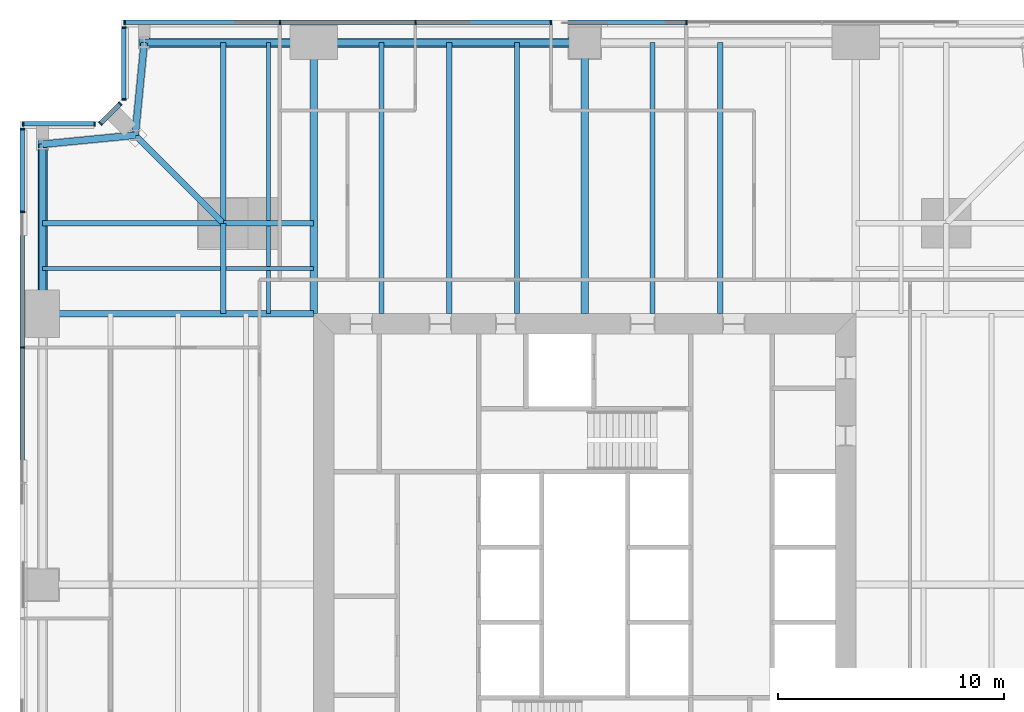
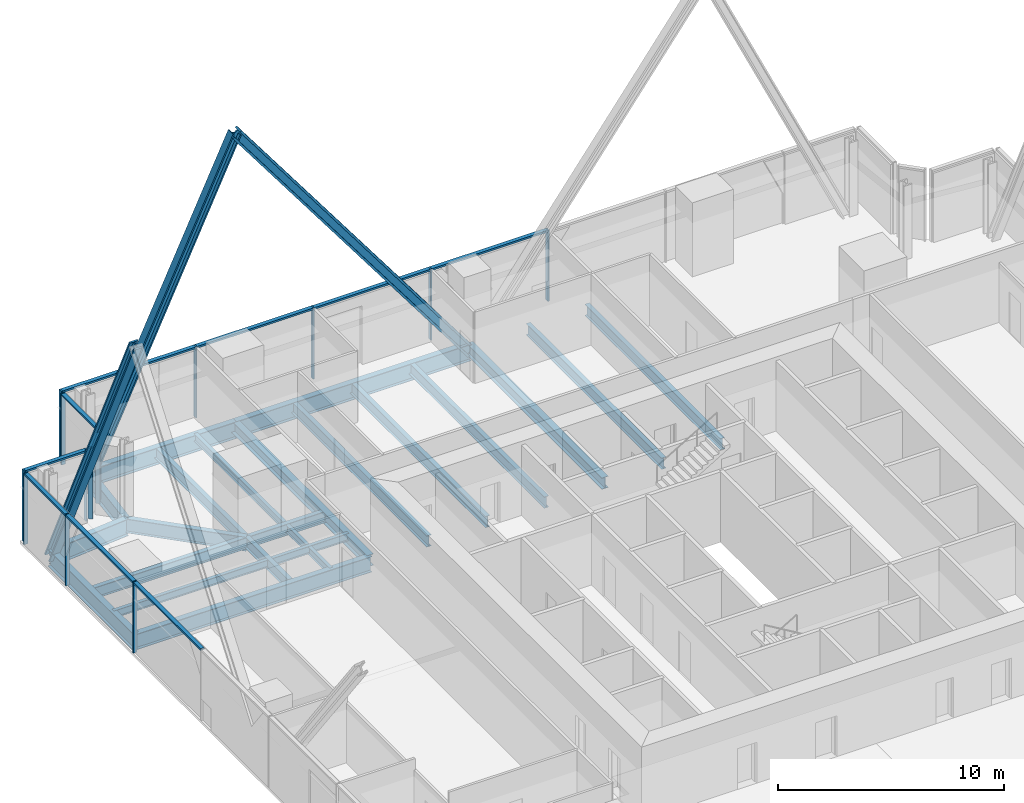
# One storey, part 6 of 13: 27 members, 23 beams, 5 elements without a shape of their own.
"""IFC4 building model written with IfcOpenShell, lengths in metres."""

from ifc_helpers import new_model, si_unit, direction, frame, origin, origin_2d, place, context, subcontext, project, spatial, rectangle, i_section, extrude, material, material_profile, profile_set, type_object, element, aggregate, save


model = new_model("IFC4")

# Units and contexts
model_context = context("Model", 3, precision=1e-05, world=origin(), true_north=direction((0.0, 1.0)))
body_context = subcontext(model_context, "Body", "Model", "MODEL_VIEW")
ifc_project = project(units=[si_unit("LENGTHUNIT", "METRE"), si_unit("AREAUNIT", "SQUARE_METRE"), si_unit("VOLUMEUNIT", "CUBIC_METRE"), si_unit("PLANEANGLEUNIT", "RADIAN"), si_unit("MASSUNIT", "GRAM", prefix="KILO")], contexts=[model_context])

# Site, building, storey
site_placement = place(None, origin())
site = spatial("IfcSite", under=ifc_project, at=site_placement, CompositionType="ELEMENT")
building_placement = place(site_placement, origin())
building = spatial("IfcBuilding", under=site, at=building_placement, Name="Fenwick Lantern Interchange", CompositionType="ELEMENT")
storey_placement = place(building_placement, frame((0.0, 0.0, 114.39990234375)))
storey = spatial("IfcBuildingStorey", under=building, at=storey_placement, Name="L26", CompositionType="ELEMENT", Elevation=114.39990234375)

# Beams
ifc_material_1 = material(Name="Steel ASTM A992 Grade 50", Category="steel")
ifc_material_profile_1 = material_profile(ifc_material_1, i_section(OverallWidth=0.3046875, OverallDepth=0.911865234375, WebThickness=0.015869140625, FlangeThickness=0.02392578125, at=origin_2d()), Name="W36X150")
ifc_profile_set_1 = profile_set([ifc_material_profile_1], Name="Steel ASTM A992 Grade 50")
beam_type_1 = type_object("IfcBeamType", Name="EDGE BEAM W36X150", PredefinedType="SPANDREL", material=ifc_profile_set_1)
beam_1_placement = place(storey_placement, frame((25.0, 49.0, -0.605712890625), z_axis=(-1.0, 0.0, 0.0), x_axis=(0.0, -1.0, 0.0)))
element("IfcBeam", 1, at=beam_1_placement, inside=storey, type_object=beam_type_1, Name="L26/FR/N/EB3", PredefinedType="SPANDREL", context=body_context, shape_type="SweptSolid", body=[
    extrude(i_section(OverallWidth=0.3046875, OverallDepth=0.911865234375, WebThickness=0.015869140625, FlangeThickness=0.02392578125, at=origin_2d()), origin(), (0.0, 0.0, 1.0), 12.0),
])
beam_2_placement = place(storey_placement, frame((13.0, 49.0, -0.605712890625), z_axis=(-1.0, 0.0, 0.0), x_axis=(0.0, -1.0, 0.0)))
element("IfcBeam", 2, at=beam_2_placement, inside=storey, type_object=beam_type_1, Name="L26/FR/N/EB4", PredefinedType="SPANDREL", context=body_context, shape_type="SweptSolid", body=[
    extrude(i_section(OverallWidth=0.3046875, OverallDepth=0.911865234375, WebThickness=0.015869140625, FlangeThickness=0.02392578125, at=origin_2d()), origin(), (0.0, 0.0, 1.0), 7.5),
])
for number, where, z_axis, x_axis, name in (
    (3, (5.5, 49.0, -0.605712890625), (-0.097074191287, -0.995277148028, 0.0), (0.995277148028, -0.097074191287, 0.0), "L26/FR/N/EBR1"),
    (4, (5.10009765625, 44.89990234375, -0.605712890625), (-0.995277148028, -0.097074191287, 0.0), (0.097074191287, -0.995277148028, 0.0), "L26/FR/N/EBR2"),
):
    element("IfcBeam", number, at=place(storey_placement, frame(where, z_axis=z_axis, x_axis=x_axis)), inside=storey, type_object=beam_type_1, Name=name, PredefinedType="SPANDREL", context=body_context, shape_type="SweptSolid", body=[
        extrude(i_section(OverallWidth=0.3046875, OverallDepth=0.911865234375, WebThickness=0.015869140625, FlangeThickness=0.02392578125, at=origin_2d()), origin(), (0.0, 0.0, 1.0), 4.11962890625),
    ])
beam_3_placement = place(storey_placement, frame((1.0, 44.5, -0.605712890625), z_axis=(0.0, -1.0, 0.0), x_axis=(1.0, 0.0, 0.0)))
element("IfcBeam", 5, at=beam_3_placement, inside=storey, type_object=beam_type_1, Name="L26/FR/W/EB1", PredefinedType="SPANDREL", context=body_context, shape_type="SweptSolid", body=[
    extrude(i_section(OverallWidth=0.3046875, OverallDepth=0.911865234375, WebThickness=0.015869140625, FlangeThickness=0.02392578125, at=origin_2d()), origin(), (0.0, 0.0, 1.0), 7.5),
])

# Members
ifc_material_profile_2 = material_profile(ifc_material_1, i_section(OverallWidth=0.424072265625, OverallDepth=0.47509765625, WebThickness=0.0478515625, FlangeThickness=0.0771484375, at=origin_2d()), Name="W14X426")
ifc_profile_set_2 = profile_set([ifc_material_profile_2], Name="Steel ASTM A992 Grade 50")
member_type_1 = type_object("IfcMemberType", Name="FACADE BRACE W14X426", PredefinedType="BRACE", material=ifc_profile_set_2)
for number, where, z_axis, x_axis, name in (
    (6, (5.5, 49.0, -0.605712890625), (0.424433876231, 0.0, 0.905458935959), (0.0, 1.0, 0.0), "L26/FB/N/BE"),
    (7, (1.0, 44.5, -0.605712890625), (0.0, -0.424433876231, 0.905458935959), (1.0, 0.0, 0.0), "L26/FB/W/AE"),
):
    element("IfcMember", number, at=place(storey_placement, frame(where, z_axis=z_axis, x_axis=x_axis)), inside=storey, type_object=member_type_1, Name=name, PredefinedType="BRACE", context=body_context, shape_type="SweptSolid", body=[
        extrude(i_section(OverallWidth=0.424072265625, OverallDepth=0.47509765625, WebThickness=0.0478515625, FlangeThickness=0.0771484375, at=origin_2d()), origin(), (0.0, 0.0, 1.0), 17.670654296875),
    ])
ifc_material_profile_3 = material_profile(ifc_material_1, i_section(OverallWidth=0.44189453125, OverallDepth=0.53076171875, WebThickness=0.06591796875, FlangeThickness=0.105712890625, at=origin_2d()), Name="W14X605")
ifc_profile_set_3 = profile_set([ifc_material_profile_3], Name="Steel ASTM A992 Grade 50")
member_type_2 = type_object("IfcMemberType", Name="FACADE BRACE W14X605", PredefinedType="BRACE", material=ifc_profile_set_3)
member_1_placement = place(storey_placement, frame((25.0, 49.0, -0.605712890625), z_axis=(-0.6, 0.0, 0.8), x_axis=(0.0, -1.0, 0.0)))
element("IfcMember", 8, at=member_1_placement, inside=storey, type_object=member_type_2, Name="L26/FB/N/B", PredefinedType="BRACE", context=body_context, shape_type="SweptSolid", body=[
    extrude(i_section(OverallWidth=0.44189453125, OverallDepth=0.53076171875, WebThickness=0.06591796875, FlangeThickness=0.105712890625, at=origin_2d()), origin(), (0.0, 0.0, 1.0), 20.0),
])

# Beams
ifc_material_profile_4 = material_profile(ifc_material_1, i_section(OverallWidth=0.22900390625, OverallDepth=0.612060546875, WebThickness=0.011962890625, FlangeThickness=0.01953125, at=origin_2d()), Name="W24X84")
ifc_profile_set_4 = profile_set([ifc_material_profile_4], Name="Steel ASTM A992 Grade 50")
beam_type_2 = type_object("IfcBeamType", Name="FLOOR BEAM W24X84", PredefinedType="BEAM", material=ifc_profile_set_4)
for number, where, z_axis, x_axis, name in (
    (9, (31.0, 49.0, -0.4560546875), (0.0, -1.0, 0.0), (1.0, 0.0, 0.0), "L26/FR/N/R03"),
    (10, (28.0, 49.0, -0.4560546875), (0.0, -1.0, 0.0), (1.0, 0.0, 0.0), "L26/FR/N/R04"),
    (11, (22.0, 49.0, -0.4560546875), (0.0, -1.0, 0.0), (1.0, 0.0, 0.0), "L26/FR/N/R06"),
    (12, (19.0, 49.0, -0.4560546875), (0.0, -1.0, 0.0), (1.0, 0.0, 0.0), "L26/FR/N/R07"),
    (13, (16.0, 49.0, -0.4560546875), (0.0, -1.0, 0.0), (1.0, 0.0, 0.0), "L26/FR/N/R08"),
):
    element("IfcBeam", number, at=place(storey_placement, frame(where, z_axis=z_axis, x_axis=x_axis)), inside=storey, type_object=beam_type_2, Name=name, PredefinedType="BEAM", context=body_context, shape_type="SweptSolid", body=[
        extrude(i_section(OverallWidth=0.22900390625, OverallDepth=0.612060546875, WebThickness=0.011962890625, FlangeThickness=0.01953125, at=origin_2d()), origin(), (0.0, 0.0, 1.0), 12.0),
    ])
ifc_material_profile_5 = material_profile(ifc_material_1, i_section(OverallWidth=0.177734375, OverallDepth=0.406494140625, WebThickness=0.0078125, FlangeThickness=0.012939453125, at=origin_2d()), Name="W16X40")
ifc_profile_set_5 = profile_set([ifc_material_profile_5], Name="Steel ASTM A992 Grade 50")
beam_type_3 = type_object("IfcBeamType", Name="INFILL BEAM W16X40", PredefinedType="JOIST", material=ifc_profile_set_5)
beam_4_placement = place(storey_placement, frame((1.0, 39.0, -0.35302734375), z_axis=(1.0, 0.0, 0.0), x_axis=(0.0, 1.0, 0.0)))
element("IfcBeam", 14, at=beam_4_placement, inside=storey, type_object=beam_type_3, Name="L26/FR/W/J1", PredefinedType="JOIST", context=body_context, shape_type="SweptSolid", body=[
    extrude(i_section(OverallWidth=0.177734375, OverallDepth=0.406494140625, WebThickness=0.0078125, FlangeThickness=0.012939453125, at=origin_2d()), origin(), (0.0, 0.0, 1.0), 7.885498046875),
])
beam_5_placement = place(storey_placement, frame((9.114501953125, 39.0, -0.35302734375), z_axis=(1.0, 0.0, 0.0), x_axis=(0.0, 1.0, 0.0)))
element("IfcBeam", 15, at=beam_5_placement, inside=storey, type_object=beam_type_3, Name="L26/FR/W/J2", PredefinedType="JOIST", context=body_context, shape_type="SweptSolid", body=[
    extrude(i_section(OverallWidth=0.177734375, OverallDepth=0.406494140625, WebThickness=0.0078125, FlangeThickness=0.012939453125, at=origin_2d()), origin(), (0.0, 0.0, 1.0), 3.885498046875),
])
beam_6_placement = place(storey_placement, frame((11.0, 49.0, -0.35302734375), z_axis=(0.0, -1.0, 0.0), x_axis=(1.0, 0.0, 0.0)))
element("IfcBeam", 16, at=beam_6_placement, inside=storey, type_object=beam_type_3, Name="L26/FR/W/J3", PredefinedType="JOIST", context=body_context, shape_type="SweptSolid", body=[
    extrude(i_section(OverallWidth=0.177734375, OverallDepth=0.406494140625, WebThickness=0.0078125, FlangeThickness=0.012939453125, at=origin_2d()), origin(), (0.0, 0.0, 1.0), 7.885498046875),
])
beam_7_placement = place(storey_placement, frame((11.0, 40.885498046875, -0.35302734375), z_axis=(0.0, -1.0, 0.0), x_axis=(1.0, 0.0, 0.0)))
element("IfcBeam", 17, at=beam_7_placement, inside=storey, type_object=beam_type_3, Name="L26/FR/W/J4", PredefinedType="JOIST", context=body_context, shape_type="SweptSolid", body=[
    extrude(i_section(OverallWidth=0.177734375, OverallDepth=0.406494140625, WebThickness=0.0078125, FlangeThickness=0.012939453125, at=origin_2d()), origin(), (0.0, 0.0, 1.0), 1.796630859375),
])
beam_8_placement = place(storey_placement, frame((11.0, 38.9111328125, -0.35302734375), z_axis=(0.0, -1.0, 0.0), x_axis=(1.0, 0.0, 0.0)))
element("IfcBeam", 18, at=beam_8_placement, inside=storey, type_object=beam_type_3, Name="L26/FR/W/J5", PredefinedType="JOIST", context=body_context, shape_type="SweptSolid", body=[
    extrude(i_section(OverallWidth=0.177734375, OverallDepth=0.406494140625, WebThickness=0.0078125, FlangeThickness=0.012939453125, at=origin_2d()), origin(), (0.0, 0.0, 1.0), 1.9111328125),
])
ifc_material_profile_6 = material_profile(ifc_material_1, i_section(OverallWidth=0.22900390625, OverallDepth=0.612060546875, WebThickness=0.011962890625, FlangeThickness=0.01953125, at=origin_2d()), Name="W24X84")
ifc_profile_set_6 = profile_set([ifc_material_profile_6], Name="Steel ASTM A992 Grade 50")
beam_type_4 = type_object("IfcBeamType", Name="MEGA COLUMN BEAM W24X84", PredefinedType="BEAM", material=ifc_profile_set_6)
for number, where, z_axis, x_axis, name in (
    (19, (9.0, 41.0, -0.4560546875), (-1.0, 0.0, 0.0), (0.0, -1.0, 0.0), "L26/FR/W/MB1"),
    (20, (9.0, 41.0, -0.4560546875), (0.0, 1.0, 0.0), (-1.0, 0.0, 0.0), "L26/FR/W/MB2"),
):
    element("IfcBeam", number, at=place(storey_placement, frame(where, z_axis=z_axis, x_axis=x_axis)), inside=storey, type_object=beam_type_4, Name=name, PredefinedType="BEAM", context=body_context, shape_type="SweptSolid", body=[
        extrude(i_section(OverallWidth=0.22900390625, OverallDepth=0.612060546875, WebThickness=0.011962890625, FlangeThickness=0.01953125, at=origin_2d()), origin(), (0.0, 0.0, 1.0), 8.0),
    ])
for number, where, z_axis, x_axis, name in (
    (21, (9.0, 41.0, -0.4560546875), (0.0, -1.0, 0.0), (1.0, 0.0, 0.0), "L26/FR/W/MB3"),
    (22, (9.0, 41.0, -0.4560546875), (1.0, 0.0, 0.0), (0.0, 1.0, 0.0), "L26/FR/W/MB4"),
):
    element("IfcBeam", number, at=place(storey_placement, frame(where, z_axis=z_axis, x_axis=x_axis)), inside=storey, type_object=beam_type_4, Name=name, PredefinedType="BEAM", context=body_context, shape_type="SweptSolid", body=[
        extrude(i_section(OverallWidth=0.22900390625, OverallDepth=0.612060546875, WebThickness=0.011962890625, FlangeThickness=0.01953125, at=origin_2d()), origin(), (0.0, 0.0, 1.0), 4.0),
    ])
ifc_material_profile_7 = material_profile(ifc_material_1, i_section(OverallWidth=0.32763671875, OverallDepth=0.622314453125, WebThickness=0.015380859375, FlangeThickness=0.0244140625, at=origin_2d()), Name="W24X131")
ifc_profile_set_7 = profile_set([ifc_material_profile_7], Name="Steel ASTM A992 Grade 50")
beam_type_5 = type_object("IfcBeamType", Name="MOMENT-CONNECTED GIRDER W24X131", PredefinedType="BEAM", material=ifc_profile_set_7)
for number, where, z_axis, x_axis, name in (
    (23, (25.0, 49.0, -0.4609375), (0.0, -1.0, 0.0), (1.0, 0.0, 0.0), "L26/FR/N/R05"),
    (24, (13.0, 49.0, -0.4609375), (0.0, -1.0, 0.0), (1.0, 0.0, 0.0), "L26/FR/N/R09"),
):
    element("IfcBeam", number, at=place(storey_placement, frame(where, z_axis=z_axis, x_axis=x_axis)), inside=storey, type_object=beam_type_5, Name=name, PredefinedType="BEAM", context=body_context, shape_type="SweptSolid", body=[
        extrude(i_section(OverallWidth=0.32763671875, OverallDepth=0.622314453125, WebThickness=0.015380859375, FlangeThickness=0.0244140625, at=origin_2d()), origin(), (0.0, 0.0, 1.0), 12.0),
    ])
ifc_material_profile_8 = material_profile(ifc_material_1, i_section(OverallWidth=0.2919921875, OverallDepth=0.845703125, WebThickness=0.015380859375, FlangeThickness=0.0244140625, at=origin_2d()), Name="W33X141")
ifc_profile_set_8 = profile_set([ifc_material_profile_8], Name="Steel ASTM A992 Grade 50")
beam_type_6 = type_object("IfcBeamType", Name="MOMENT-CONNECTED GIRDER W33X141", PredefinedType="BEAM", material=ifc_profile_set_8)
beam_9_placement = place(storey_placement, frame((1.0, 37.0, -0.57275390625), z_axis=(1.0, 0.0, 0.0), x_axis=(0.0, 1.0, 0.0)))
element("IfcBeam", 25, at=beam_9_placement, inside=storey, type_object=beam_type_6, Name="L26/FR/W/R01", PredefinedType="BEAM", context=body_context, shape_type="SweptSolid", body=[
    extrude(i_section(OverallWidth=0.2919921875, OverallDepth=0.845703125, WebThickness=0.015380859375, FlangeThickness=0.0244140625, at=origin_2d()), origin(), (0.0, 0.0, 1.0), 12.0),
])
ifc_material_profile_9 = material_profile(ifc_material_1, i_section(OverallWidth=0.2666015625, OverallDepth=0.7568359375, WebThickness=0.013916015625, FlangeThickness=0.019287109375, at=origin_2d()), Name="W30X108")
ifc_profile_set_9 = profile_set([ifc_material_profile_9], Name="Steel ASTM A992 Grade 50")
beam_type_7 = type_object("IfcBeamType", Name="NOTCH BEAM W30X108", PredefinedType="BEAM", material=ifc_profile_set_9)
beam_10_placement = place(storey_placement, frame((9.0, 41.0, -0.5283203125), z_axis=(-0.707106781187, 0.707106781187, 0.0), x_axis=(-0.707106781187, -0.707106781187, 0.0)))
element("IfcBeam", 26, at=beam_10_placement, inside=storey, type_object=beam_type_7, Name="L26/FR/W/TG", PredefinedType="BEAM", context=body_context, shape_type="SweptSolid", body=[
    extrude(i_section(OverallWidth=0.2666015625, OverallDepth=0.7568359375, WebThickness=0.013916015625, FlangeThickness=0.019287109375, at=origin_2d()), origin(), (0.0, 0.0, 1.0), 5.515380859375),
])

# Curtain wall, members
ifc_material_2 = material(Name="Aluminium curtain wall frame", Category="aluminium")
curtain_wall_type = type_object("IfcCurtainWallType", Name="OFFICE CURTAIN WALL", PredefinedType="USERDEFINED", material=ifc_material_2)
curtain_wall_1_placement = place(storey_placement, origin())
curtain_wall_1 = element("IfcCurtainWall", 27, at=curtain_wall_1_placement, inside=storey, type_object=curtain_wall_type, Name="Office curtain wall 09", ObjectType="OFFICE CURTAIN WALL", PredefinedType="USERDEFINED")
ifc_material_3 = material(Name="Aluminium extrusion", Category="aluminium")
ifc_material_profile_10 = material_profile(ifc_material_3, rectangle(XDim=0.199951171875, YDim=0.06494140625, at=origin_2d()), Name="OFFICE CURTAIN WALL MULLION 65 X 200")
ifc_profile_set_10 = profile_set([ifc_material_profile_10], Name="Aluminium extrusion")
member_type_3 = type_object("IfcMemberType", Name="OFFICE CURTAIN WALL MULLION 65 X 200", PredefinedType="MULLION", material=ifc_profile_set_10)
member_2_placement = place(storey_placement, frame((29.5, 49.89990234375, 0.0), z_axis=(0.0, 0.0, 1.0), x_axis=(0.0, -1.0, 0.0)))
member_2 = element("IfcMember", 28, at=member_2_placement, type_object=member_type_3, Name="L26/CW/09/M03", PredefinedType="MULLION", context=body_context, shape_type="SweptSolid", body=[
    extrude(rectangle(XDim=0.199951171875, YDim=0.06494140625, at=origin_2d()), origin(), (0.0, 0.0, 1.0), 3.85009765625),
])
member_3_placement = place(storey_placement, frame((23.5, 49.89990234375, 0.0), z_axis=(0.0, 0.0, 1.0), x_axis=(0.0, -1.0, 0.0)))
member_3 = element("IfcMember", 29, at=member_3_placement, type_object=member_type_3, Name="L26/CW/09/M04", PredefinedType="MULLION", context=body_context, shape_type="SweptSolid", body=[
    extrude(rectangle(XDim=0.199951171875, YDim=0.06494140625, at=origin_2d()), origin(), (0.0, 0.0, 1.0), 3.85009765625),
])
member_4_placement = place(storey_placement, frame((17.5, 49.89990234375, 0.0), z_axis=(0.0, 0.0, 1.0), x_axis=(0.0, -1.0, 0.0)))
member_4 = element("IfcMember", 30, at=member_4_placement, type_object=member_type_3, Name="L26/CW/09/M05", PredefinedType="MULLION", context=body_context, shape_type="SweptSolid", body=[
    extrude(rectangle(XDim=0.199951171875, YDim=0.06494140625, at=origin_2d()), origin(), (0.0, 0.0, 1.0), 3.85009765625),
])
member_5_placement = place(storey_placement, frame((11.5, 49.89990234375, 0.0), z_axis=(0.0, 0.0, 1.0), x_axis=(0.0, -1.0, 0.0)))
member_5 = element("IfcMember", 31, at=member_5_placement, type_object=member_type_3, Name="L26/CW/09/M06", PredefinedType="MULLION", context=body_context, shape_type="SweptSolid", body=[
    extrude(rectangle(XDim=0.199951171875, YDim=0.06494140625, at=origin_2d()), origin(), (0.0, 0.0, 1.0), 3.85009765625),
])
member_6_placement = place(storey_placement, frame((4.632568359375, 49.89990234375, 0.0), z_axis=(0.0, 0.0, 1.0), x_axis=(0.0, -1.0, 0.0)))
member_6 = element("IfcMember", 32, at=member_6_placement, type_object=member_type_3, Name="L26/CW/09/M07", PredefinedType="MULLION", context=body_context, shape_type="SweptSolid", body=[
    extrude(rectangle(XDim=0.199951171875, YDim=0.06494140625, at=origin_2d()), origin(), (0.0, 0.0, 1.0), 3.85009765625),
])

curtain_wall_2_placement = place(storey_placement, origin())
curtain_wall_2 = element("IfcCurtainWall", 33, at=curtain_wall_2_placement, inside=storey, type_object=curtain_wall_type, Name="Office curtain wall 10", ObjectType="OFFICE CURTAIN WALL", PredefinedType="USERDEFINED")
member_7_placement = place(storey_placement, frame((4.60009765625, 49.66748046875, 0.0), z_axis=(0.0, 0.0, 1.0), x_axis=(1.0, 0.0, 0.0)))
member_7 = element("IfcMember", 34, at=member_7_placement, type_object=member_type_3, Name="L26/CW/10/M00", PredefinedType="MULLION", context=body_context, shape_type="SweptSolid", body=[
    extrude(rectangle(XDim=0.199951171875, YDim=0.06494140625, at=origin_2d()), origin(), (0.0, 0.0, 1.0), 3.85009765625),
])
member_8_placement = place(storey_placement, frame((4.60009765625, 46.490966796875, 0.0), z_axis=(0.0, 0.0, 1.0), x_axis=(1.0, 0.0, 0.0)))
member_8 = element("IfcMember", 35, at=member_8_placement, type_object=member_type_3, Name="L26/CW/10/M01", PredefinedType="MULLION", context=body_context, shape_type="SweptSolid", body=[
    extrude(rectangle(XDim=0.199951171875, YDim=0.06494140625, at=origin_2d()), origin(), (0.0, 0.0, 1.0), 3.85009765625),
])

curtain_wall_3_placement = place(storey_placement, origin())
curtain_wall_3 = element("IfcCurtainWall", 36, at=curtain_wall_3_placement, inside=storey, type_object=curtain_wall_type, Name="Office curtain wall 11", ObjectType="OFFICE CURTAIN WALL", PredefinedType="USERDEFINED")
member_9_placement = place(storey_placement, frame((4.435546875, 46.294189453125, 0.0), z_axis=(0.0, 0.0, 1.0), x_axis=(0.707106781187, -0.707106781187, 0.0)))
member_9 = element("IfcMember", 37, at=member_9_placement, type_object=member_type_3, Name="L26/CW/11/M00", PredefinedType="MULLION", context=body_context, shape_type="SweptSolid", body=[
    extrude(rectangle(XDim=0.199951171875, YDim=0.06494140625, at=origin_2d()), origin(), (0.0, 0.0, 1.0), 3.85009765625),
])
member_10_placement = place(storey_placement, frame((3.564453125, 45.423095703125, 0.0), z_axis=(0.0, 0.0, 1.0), x_axis=(0.707106781187, -0.707106781187, 0.0)))
member_10 = element("IfcMember", 38, at=member_10_placement, type_object=member_type_3, Name="L26/CW/11/M01", PredefinedType="MULLION", context=body_context, shape_type="SweptSolid", body=[
    extrude(rectangle(XDim=0.199951171875, YDim=0.06494140625, at=origin_2d()), origin(), (0.0, 0.0, 1.0), 3.85009765625),
])

curtain_wall_4_placement = place(storey_placement, origin())
curtain_wall_4 = element("IfcCurtainWall", 39, at=curtain_wall_4_placement, inside=storey, type_object=curtain_wall_type, Name="Office curtain wall 12", ObjectType="OFFICE CURTAIN WALL", PredefinedType="USERDEFINED")
member_11_placement = place(storey_placement, frame((3.308837890625, 45.39990234375, 0.0), z_axis=(0.0, 0.0, 1.0), x_axis=(0.0, -1.0, 0.0)))
member_11 = element("IfcMember", 40, at=member_11_placement, type_object=member_type_3, Name="L26/CW/12/M00", PredefinedType="MULLION", context=body_context, shape_type="SweptSolid", body=[
    extrude(rectangle(XDim=0.199951171875, YDim=0.06494140625, at=origin_2d()), origin(), (0.0, 0.0, 1.0), 3.85009765625),
])
member_12_placement = place(storey_placement, frame((0.132568359375, 45.39990234375, 0.0), z_axis=(0.0, 0.0, 1.0), x_axis=(0.0, -1.0, 0.0)))
member_12 = element("IfcMember", 41, at=member_12_placement, type_object=member_type_3, Name="L26/CW/12/M01", PredefinedType="MULLION", context=body_context, shape_type="SweptSolid", body=[
    extrude(rectangle(XDim=0.199951171875, YDim=0.06494140625, at=origin_2d()), origin(), (0.0, 0.0, 1.0), 3.85009765625),
])

curtain_wall_5_placement = place(storey_placement, origin())
curtain_wall_5 = element("IfcCurtainWall", 42, at=curtain_wall_5_placement, inside=storey, type_object=curtain_wall_type, Name="Office curtain wall 13", ObjectType="OFFICE CURTAIN WALL", PredefinedType="USERDEFINED")
member_13_placement = place(storey_placement, frame((0.10009765625, 45.16748046875, 0.0), z_axis=(0.0, 0.0, 1.0), x_axis=(1.0, 0.0, 0.0)))
member_13 = element("IfcMember", 43, at=member_13_placement, type_object=member_type_3, Name="L26/CW/13/M00", PredefinedType="MULLION", context=body_context, shape_type="SweptSolid", body=[
    extrude(rectangle(XDim=0.199951171875, YDim=0.06494140625, at=origin_2d()), origin(), (0.0, 0.0, 1.0), 3.85009765625),
])
member_14_placement = place(storey_placement, frame((0.10009765625, 41.5, 0.0), z_axis=(0.0, 0.0, 1.0), x_axis=(1.0, 0.0, 0.0)))
member_14 = element("IfcMember", 44, at=member_14_placement, type_object=member_type_3, Name="L26/CW/13/M01", PredefinedType="MULLION", context=body_context, shape_type="SweptSolid", body=[
    extrude(rectangle(XDim=0.199951171875, YDim=0.06494140625, at=origin_2d()), origin(), (0.0, 0.0, 1.0), 3.85009765625),
])
member_15_placement = place(storey_placement, frame((0.10009765625, 35.5, 0.0), z_axis=(0.0, 0.0, 1.0), x_axis=(1.0, 0.0, 0.0)))
member_15 = element("IfcMember", 45, at=member_15_placement, type_object=member_type_3, Name="L26/CW/13/M02", PredefinedType="MULLION", context=body_context, shape_type="SweptSolid", body=[
    extrude(rectangle(XDim=0.199951171875, YDim=0.06494140625, at=origin_2d()), origin(), (0.0, 0.0, 1.0), 3.85009765625),
])

# Member
ifc_material_profile_11 = material_profile(ifc_material_3, rectangle(XDim=0.199951171875, YDim=0.10009765625, at=origin_2d()), Name="OFFICE CURTAIN WALL TRANSOM 100 X 200")
ifc_profile_set_11 = profile_set([ifc_material_profile_11], Name="Aluminium extrusion")
member_type_4 = type_object("IfcMemberType", Name="OFFICE CURTAIN WALL TRANSOM 100 X 200", PredefinedType="MULLION", material=ifc_profile_set_11)
member_16_placement = place(storey_placement, frame((29.467529296875, 49.89990234375, 3.800048828125), z_axis=(-1.0, 0.0, 0.0), x_axis=(0.0, -1.0, 0.0)))
member_16 = element("IfcMember", 46, at=member_16_placement, type_object=member_type_4, Name="L26/CW/09/T03", PredefinedType="MULLION", context=body_context, shape_type="SweptSolid", body=[
    extrude(rectangle(XDim=0.199951171875, YDim=0.10009765625, at=origin_2d()), origin(), (0.0, 0.0, 1.0), 5.93505859375),
])

member_17_placement = place(storey_placement, frame((23.467529296875, 49.89990234375, 3.800048828125), z_axis=(-1.0, 0.0, 0.0), x_axis=(0.0, -1.0, 0.0)))
member_17 = element("IfcMember", 47, at=member_17_placement, type_object=member_type_4, Name="L26/CW/09/T04", PredefinedType="MULLION", context=body_context, shape_type="SweptSolid", body=[
    extrude(rectangle(XDim=0.199951171875, YDim=0.10009765625, at=origin_2d()), origin(), (0.0, 0.0, 1.0), 5.93505859375),
])

member_18_placement = place(storey_placement, frame((17.467529296875, 49.89990234375, 3.800048828125), z_axis=(-1.0, 0.0, 0.0), x_axis=(0.0, -1.0, 0.0)))
member_18 = element("IfcMember", 48, at=member_18_placement, type_object=member_type_4, Name="L26/CW/09/T05", PredefinedType="MULLION", context=body_context, shape_type="SweptSolid", body=[
    extrude(rectangle(XDim=0.199951171875, YDim=0.10009765625, at=origin_2d()), origin(), (0.0, 0.0, 1.0), 5.93505859375),
])

member_19_placement = place(storey_placement, frame((11.467529296875, 49.89990234375, 3.800048828125), z_axis=(-1.0, 0.0, 0.0), x_axis=(0.0, -1.0, 0.0)))
member_19 = element("IfcMember", 49, at=member_19_placement, type_object=member_type_4, Name="L26/CW/09/T06", PredefinedType="MULLION", context=body_context, shape_type="SweptSolid", body=[
    extrude(rectangle(XDim=0.199951171875, YDim=0.10009765625, at=origin_2d()), origin(), (0.0, 0.0, 1.0), 6.802490234375),
])

aggregate(curtain_wall_1, [member_2, member_3, member_4, member_5, member_6, member_16, member_17, member_18, member_19])

member_20_placement = place(storey_placement, frame((4.60009765625, 49.635009765625, 3.800048828125), z_axis=(0.0, -1.0, 0.0), x_axis=(1.0, 0.0, 0.0)))
member_20 = element("IfcMember", 50, at=member_20_placement, type_object=member_type_4, Name="L26/CW/10/T00", PredefinedType="MULLION", context=body_context, shape_type="SweptSolid", body=[
    extrude(rectangle(XDim=0.199951171875, YDim=0.10009765625, at=origin_2d()), origin(), (0.0, 0.0, 1.0), 3.111328125),
])

aggregate(curtain_wall_2, [member_7, member_8, member_20])

member_21_placement = place(storey_placement, frame((4.41259765625, 46.271240234375, 3.800048828125), z_axis=(-0.707106781187, -0.707106781187, 0.0), x_axis=(0.707106781187, -0.707106781187, 0.0)))
member_21 = element("IfcMember", 51, at=member_21_placement, type_object=member_type_4, Name="L26/CW/11/T00", PredefinedType="MULLION", context=body_context, shape_type="SweptSolid", body=[
    extrude(rectangle(XDim=0.199951171875, YDim=0.10009765625, at=origin_2d()), origin(), (0.0, 0.0, 1.0), 1.1669921875),
])

aggregate(curtain_wall_3, [member_9, member_10, member_21])

member_22_placement = place(storey_placement, frame((3.2763671875, 45.39990234375, 3.800048828125), z_axis=(-1.0, 0.0, 0.0), x_axis=(0.0, -1.0, 0.0)))
member_22 = element("IfcMember", 52, at=member_22_placement, type_object=member_type_4, Name="L26/CW/12/T00", PredefinedType="MULLION", context=body_context, shape_type="SweptSolid", body=[
    extrude(rectangle(XDim=0.199951171875, YDim=0.10009765625, at=origin_2d()), origin(), (0.0, 0.0, 1.0), 3.111328125),
])

aggregate(curtain_wall_4, [member_11, member_12, member_22])

member_23_placement = place(storey_placement, frame((0.10009765625, 45.135009765625, 3.800048828125), z_axis=(0.0, -1.0, 0.0), x_axis=(1.0, 0.0, 0.0)))
member_23 = element("IfcMember", 53, at=member_23_placement, type_object=member_type_4, Name="L26/CW/13/T00", PredefinedType="MULLION", context=body_context, shape_type="SweptSolid", body=[
    extrude(rectangle(XDim=0.199951171875, YDim=0.10009765625, at=origin_2d()), origin(), (0.0, 0.0, 1.0), 3.6025390625),
])

member_24_placement = place(storey_placement, frame((0.10009765625, 41.467529296875, 3.800048828125), z_axis=(0.0, -1.0, 0.0), x_axis=(1.0, 0.0, 0.0)))
member_24 = element("IfcMember", 54, at=member_24_placement, type_object=member_type_4, Name="L26/CW/13/T01", PredefinedType="MULLION", context=body_context, shape_type="SweptSolid", body=[
    extrude(rectangle(XDim=0.199951171875, YDim=0.10009765625, at=origin_2d()), origin(), (0.0, 0.0, 1.0), 5.93505859375),
])

member_25_placement = place(storey_placement, frame((0.10009765625, 35.467529296875, 3.800048828125), z_axis=(0.0, -1.0, 0.0), x_axis=(1.0, 0.0, 0.0)))
member_25 = element("IfcMember", 55, at=member_25_placement, type_object=member_type_4, Name="L26/CW/13/T02", PredefinedType="MULLION", context=body_context, shape_type="SweptSolid", body=[
    extrude(rectangle(XDim=0.199951171875, YDim=0.10009765625, at=origin_2d()), origin(), (0.0, 0.0, 1.0), 5.93505859375),
])

aggregate(curtain_wall_5, [member_13, member_14, member_15, member_23, member_24, member_25])

save(model, "model.ifc")
